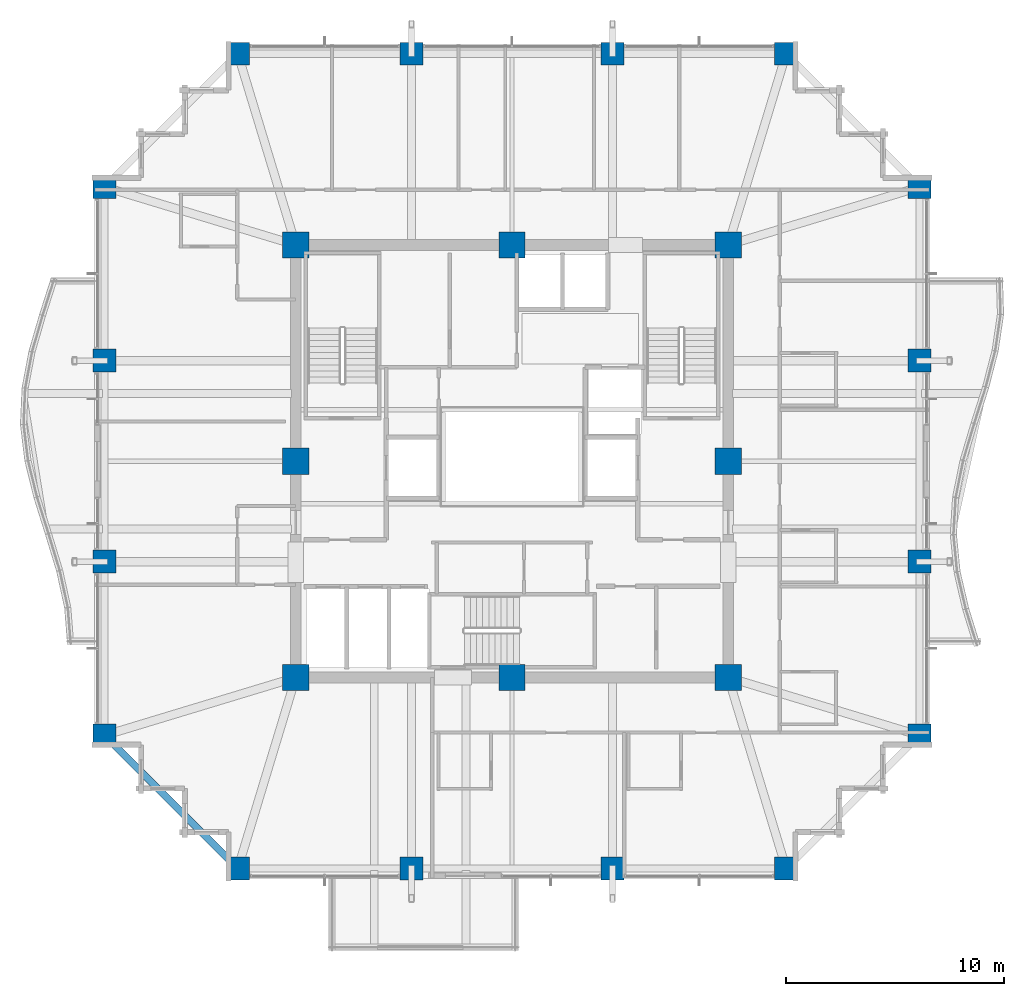
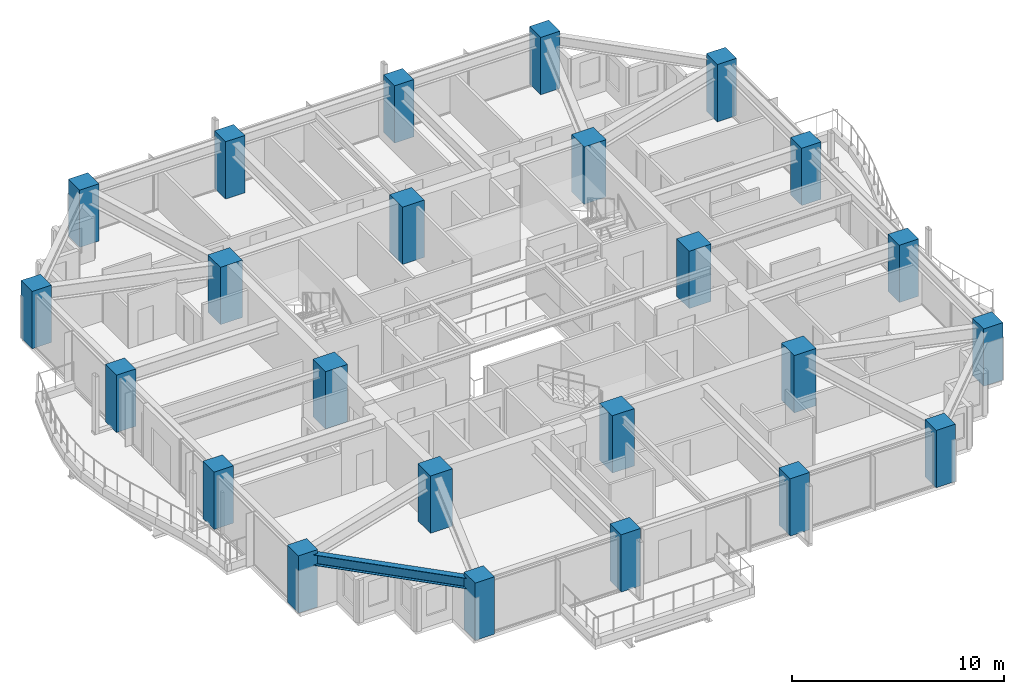
# One storey, part 1 of 38: 24 columns, 1 beam.
"""IFC4 building model written with IfcOpenShell, lengths in metres."""

import ifcopenshell
import ifcopenshell.guid

model = None  # the IFC model being written
_history = None  # IfcOwnerHistory: only IFC2X3 demands one
_inside = {}  # id of a spatial element -> (the spatial element, [elements in it])
_under = {}  # id of a project, library or spatial element -> (it, [spatial elements below it])
_declared = {}  # id of a project -> (the project, [libraries it declares])
_typed = {}  # id of a type object -> (the type object, [elements of that type])
_made_of = {}  # id of a material, layer set ... -> (it, [elements and type objects made of it])


def new_model(schema):
    """Start an empty IFC model of exactly this schema.

    Asked for "IFC4X3", IfcOpenShell would pick the latest addendum, in which some entities
    have other attributes; the version numbers below select the first issue.
    IFC2X3 requires an IfcOwnerHistory on every rooted entity: one is made here for all.
    """
    global model, _history
    if schema == "IFC4X3":
        model = ifcopenshell.file(schema_version=(4, 3, 0, 0))
    else:
        model = ifcopenshell.file(schema=schema)
    _inside.clear()
    _under.clear()
    _declared.clear()
    _typed.clear()
    _made_of.clear()
    _history = None
    if model.schema == "IFC2X3":
        org = make("IfcOrganization", Name="unknown")
        user = make(
            "IfcPersonAndOrganization",
            ThePerson=make("IfcPerson", FamilyName="unknown"),
            TheOrganization=org,
        )
        app = make(
            "IfcApplication",
            ApplicationDeveloper=org,
            Version="unknown",
            ApplicationFullName="unknown",
            ApplicationIdentifier="unknown",
        )
        _history = make(
            "IfcOwnerHistory",
            OwningUser=user,
            OwningApplication=app,
            ChangeAction="ADDED",
            CreationDate=0,
        )
    return model


def make(cls, **values):
    """One entity of the class cls with the attributes given. An attribute that is None is left unset."""
    return model.create_entity(
        cls, **{name: value for name, value in values.items() if value is not None}
    )


def rooted(cls, **values):
    """An entity with a GlobalId (a new one), such as an element, a storey or a relation."""
    return make(cls, GlobalId=ifcopenshell.guid.new(), OwnerHistory=_history, **values)


def si_unit(unit_type, name, prefix=None):
    """IfcSIUnit, for example si_unit("LENGTHUNIT", "METRE", prefix="MILLI")."""
    return make("IfcSIUnit", UnitType=unit_type, Prefix=prefix, Name=name)


def assignment(units):
    """IfcUnitAssignment: the units of a project."""
    return None if units is None else make("IfcUnitAssignment", Units=units)


def point(xyz):
    """IfcCartesianPoint."""
    return None if xyz is None else make("IfcCartesianPoint", Coordinates=xyz)


def direction(xyz):
    """IfcDirection."""
    return None if xyz is None else make("IfcDirection", DirectionRatios=xyz)


def frame(location, z_axis=None, x_axis=None):
    """IfcAxis2Placement3D, a coordinate frame: its origin and axes. An axis left out is left unset."""
    return make(
        "IfcAxis2Placement3D",
        Location=point(location),
        Axis=direction(z_axis),
        RefDirection=direction(x_axis),
    )


def frame_2d(location, x_axis=None):
    """IfcAxis2Placement2D, a coordinate frame in the plane: its origin and x axis."""
    return make(
        "IfcAxis2Placement2D", Location=point(location), RefDirection=direction(x_axis)
    )


def origin():
    """The frame at (0, 0, 0) with its axes left unset."""
    return frame((0.0, 0.0, 0.0))


def origin_2d():
    """The frame at (0, 0) in the plane with its x axis left unset."""
    return frame_2d((0.0, 0.0))


def place(relative_to, where):
    """IfcLocalPlacement: puts the frame where relative to a parent placement (None: the world)."""
    return make(
        "IfcLocalPlacement", PlacementRelTo=relative_to, RelativePlacement=where
    )


def context(
    kind, dimensions, precision=None, world=None, true_north=None, identifier=None
):
    """IfcGeometricRepresentationContext, for example the 3D "Model" context."""
    return make(
        "IfcGeometricRepresentationContext",
        ContextIdentifier=identifier,
        ContextType=kind,
        CoordinateSpaceDimension=dimensions,
        Precision=precision,
        WorldCoordinateSystem=world,
        TrueNorth=true_north,
    )


def subcontext(parent, identifier, kind, view, scale=None):
    """IfcGeometricRepresentationSubContext, for example "Body" below "Model"."""
    return make(
        "IfcGeometricRepresentationSubContext",
        ContextIdentifier=identifier,
        ContextType=kind,
        ParentContext=parent,
        TargetScale=scale,
        TargetView=view,
    )


def project(units=None, contexts=None):
    """IfcProject with its units and contexts."""
    return rooted(
        "IfcProject",
        Name="project",
        RepresentationContexts=contexts,
        UnitsInContext=assignment(units),
    )


def spatial(cls, under=None, at=None, **own):
    """A site, building, storey or space (cls), placed at a placement, below another one or the project."""
    s = rooted(cls, ObjectPlacement=at, **own)
    if under is not None:
        _under.setdefault(under.id(), (under, []))[1].append(s)
    return s


def profile(cls, at=None, kind="AREA", **sizes):
    """A parametric profile (cls). Its sizes go by their IFC names, for example OverallWidth=200.0."""
    return make(cls, ProfileType=kind, Position=at, **sizes)


def rectangle(**sizes):
    """IfcRectangleProfileDef."""
    return profile("IfcRectangleProfileDef", **sizes)


def i_section(**sizes):
    """IfcIShapeProfileDef."""
    return profile("IfcIShapeProfileDef", **sizes)


def extrude(swept, where, along, depth):
    """IfcExtrudedAreaSolid: the profile swept, set in the frame where, extruded along a direction by depth."""
    return make(
        "IfcExtrudedAreaSolid",
        SweptArea=swept,
        Position=where,
        ExtrudedDirection=direction(along),
        Depth=depth,
    )


def shape(context_of_items, identifier, shape_type, items):
    """IfcShapeRepresentation: the items that make up one representation, for example the "Body"."""
    return make(
        "IfcShapeRepresentation",
        ContextOfItems=context_of_items,
        RepresentationIdentifier=identifier,
        RepresentationType=shape_type,
        Items=items,
    )


def material(Name=None, Category=None):
    """IfcMaterial."""
    return make("IfcMaterial", Name=Name, Category=Category)


def material_profile(
    of_material, cross_section, Name=None, Category=None, Priority=None
):
    """IfcMaterialProfile: a cross section and its material."""
    return make(
        "IfcMaterialProfile",
        Name=Name,
        Material=of_material,
        Profile=cross_section,
        Priority=Priority,
        Category=Category,
    )


def profile_set(profiles, Name=None, composite=None):
    """IfcMaterialProfileSet."""
    return make(
        "IfcMaterialProfileSet",
        Name=Name,
        MaterialProfiles=profiles,
        CompositeProfile=composite,
    )


def made_of(thing, what):
    """Note that an element or type object is made of a material, layer set ...; save() writes the relation."""
    if what is not None:
        _made_of.setdefault(what.id(), (what, []))[1].append(thing)
    return thing


def type_object(cls, material=None, **own):
    """A type object (cls), such as IfcWallType, which elements share."""
    return made_of(rooted(cls, **own), material)


def element(
    cls,
    number,
    at=None,
    inside=None,
    cuts=None,
    type_object=None,
    material=None,
    context=None,
    identifier="Body",
    shape_type=None,
    held_by="IfcProductDefinitionShape",
    body=None,
    shapes=None,
    **own,
):
    """One element of the class cls, such as IfcWall. Its Tag is "e" and its number.

    at: its placement. inside: the storey or other place that contains it. cuts: it is an
    opening in that element (IfcRelVoidsElement). A single representation is given by context,
    identifier, shape_type and body (its items); several are given by shapes. held_by: the class
    of the entity that holds the representations. save() writes the other relations.
    """
    e = rooted(cls, Tag="e%d" % number, ObjectPlacement=at, **own)
    if body is not None:
        shapes = [shape(context, identifier, shape_type, body)]
    if shapes is not None:
        e.Representation = make(held_by, Representations=shapes)
    if inside is not None:
        _inside.setdefault(inside.id(), (inside, []))[1].append(e)
    if cuts is not None:
        rooted(
            "IfcRelVoidsElement", RelatingBuildingElement=cuts, RelatedOpeningElement=e
        )
    if type_object is not None:
        _typed.setdefault(type_object.id(), (type_object, []))[1].append(e)
    return made_of(e, material)


def aggregate(whole, parts):
    """IfcRelAggregates: a whole, such as a stair, and the parts it consists of."""
    return rooted("IfcRelAggregates", RelatingObject=whole, RelatedObjects=parts)


def save(model, path):
    """Write the relations noted so far, then the file.

    IfcRelAggregates (storeys below a building ...), IfcRelContainedInSpatialStructure (elements
    in a storey), IfcRelDefinesByType, IfcRelAssociatesMaterial and IfcRelDeclares: one each for
    every whole, place, type object, material and project.
    """
    for whole, parts in _under.values():
        aggregate(whole, parts)
    for where, things in _inside.values():
        rooted(
            "IfcRelContainedInSpatialStructure",
            RelatedElements=things,
            RelatingStructure=where,
        )
    for kind, things in _typed.values():
        rooted("IfcRelDefinesByType", RelatedObjects=things, RelatingType=kind)
    for what, things in _made_of.values():
        rooted("IfcRelAssociatesMaterial", RelatedObjects=things, RelatingMaterial=what)
    for by, libraries in _declared.values():
        rooted("IfcRelDeclares", RelatingContext=by, RelatedDefinitions=libraries)
    model.write(path)


model = new_model("IFC4")

# Units and contexts
model_context = context("Model", 3, precision=1e-05, world=origin(), true_north=direction((0.0, 1.0)))
body_context = subcontext(model_context, "Body", "Model", "MODEL_VIEW")
ifc_project = project(units=[si_unit("LENGTHUNIT", "METRE"), si_unit("AREAUNIT", "SQUARE_METRE"), si_unit("VOLUMEUNIT", "CUBIC_METRE"), si_unit("PLANEANGLEUNIT", "RADIAN"), si_unit("MASSUNIT", "GRAM", prefix="KILO")], contexts=[model_context])

# Site, building, storey
site_placement = place(None, origin())
site = spatial("IfcSite", under=ifc_project, at=site_placement, CompositionType="ELEMENT")
building_placement = place(site_placement, origin())
building = spatial("IfcBuilding", under=site, at=building_placement, Name="Kolvaren Belvedere", CompositionType="ELEMENT")
storey_placement = place(building_placement, frame((0.0, 0.0, 121.699951171875)))
storey = spatial("IfcBuildingStorey", under=building, at=storey_placement, Name="L35", CompositionType="ELEMENT", Elevation=121.699951171875)

# Columns
ifc_material_1 = material(Name="Concrete C50/60", Category="concrete")
ifc_material_profile_1 = material_profile(ifc_material_1, rectangle(XDim=1.050048828125, YDim=1.050048828125, at=origin_2d()), Name="RC 1050X1050")
ifc_profile_set_1 = profile_set([ifc_material_profile_1], Name="Concrete C50/60")
column_type_1 = type_object("IfcColumnType", Name="COL-RC-1050", PredefinedType="COLUMN", material=ifc_profile_set_1)
for number, where, z_axis, x_axis, name in (
    (1, (-12.550048828125, -18.64990234375, 0.0), (0.0, 0.0, 1.0), (1.0, 0.0, 0.0), "L35 Perimeter Column S1"),
    (2, (-4.60009765625, -18.64990234375, 0.0), (0.0, 0.0, 1.0), (1.0, 0.0, 0.0), "L35 Perimeter Column S2"),
    (3, (4.60009765625, -18.64990234375, 0.0), (0.0, 0.0, 1.0), (1.0, 0.0, 0.0), "L35 Perimeter Column S3"),
    (4, (12.550048828125, -18.64990234375, 0.0), (0.0, 0.0, 1.0), (1.0, 0.0, 0.0), "L35 Perimeter Column S4"),
    (5, (-12.550048828125, 18.64990234375, 0.0), (0.0, 0.0, 1.0), (1.0, 0.0, 0.0), "L35 Perimeter Column N1"),
    (6, (-4.60009765625, 18.64990234375, 0.0), (0.0, 0.0, 1.0), (1.0, 0.0, 0.0), "L35 Perimeter Column N2"),
    (7, (4.60009765625, 18.64990234375, 0.0), (0.0, 0.0, 1.0), (1.0, 0.0, 0.0), "L35 Perimeter Column N3"),
    (8, (12.550048828125, 18.64990234375, 0.0), (0.0, 0.0, 1.0), (1.0, 0.0, 0.0), "L35 Perimeter Column N4"),
    (9, (-18.64990234375, -12.550048828125, 0.0), (0.0, 0.0, 1.0), (1.0, 0.0, 0.0), "L35 Perimeter Column W1"),
    (10, (-18.64990234375, -4.60009765625, 0.0), (0.0, 0.0, 1.0), (1.0, 0.0, 0.0), "L35 Perimeter Column W2"),
    (11, (-18.64990234375, 4.60009765625, 0.0), (0.0, 0.0, 1.0), (1.0, 0.0, 0.0), "L35 Perimeter Column W3"),
    (12, (-18.64990234375, 12.550048828125, 0.0), (0.0, 0.0, 1.0), (1.0, 0.0, 0.0), "L35 Perimeter Column W4"),
    (13, (18.64990234375, -12.550048828125, 0.0), (0.0, 0.0, 1.0), (1.0, 0.0, 0.0), "L35 Perimeter Column E1"),
    (14, (18.64990234375, -4.60009765625, 0.0), (0.0, 0.0, 1.0), (1.0, 0.0, 0.0), "L35 Perimeter Column E2"),
    (15, (18.64990234375, 4.60009765625, 0.0), (0.0, 0.0, 1.0), (1.0, 0.0, 0.0), "L35 Perimeter Column E3"),
    (16, (18.64990234375, 12.550048828125, 0.0), (0.0, 0.0, 1.0), (1.0, 0.0, 0.0), "L35 Perimeter Column E4"),
):
    element("IfcColumn", number, at=place(storey_placement, frame(where, z_axis=z_axis, x_axis=x_axis)), inside=storey, type_object=column_type_1, Name=name, PredefinedType="COLUMN", context=body_context, shape_type="SweptSolid", body=[
        extrude(rectangle(XDim=1.050048828125, YDim=1.050048828125, at=origin_2d()), origin(), (0.0, 0.0, 1.0), 3.300048828125),
    ])
ifc_material_2 = material(Name="Concrete C60/75", Category="concrete")
ifc_material_profile_2 = material_profile(ifc_material_2, rectangle(XDim=1.199951171875, YDim=1.199951171875, at=origin_2d()), Name="RC 1200X1200")
ifc_profile_set_2 = profile_set([ifc_material_profile_2], Name="Concrete C60/75")
column_type_2 = type_object("IfcColumnType", Name="COL-RC-1200", PredefinedType="COLUMN", material=ifc_profile_set_2)
for number, where, z_axis, x_axis, name in (
    (17, (-9.89990234375, -9.89990234375, 0.0), (0.0, 0.0, 1.0), (1.0, 0.0, 0.0), "L35 Core Column CC1"),
    (18, (9.89990234375, -9.89990234375, 0.0), (0.0, 0.0, 1.0), (1.0, 0.0, 0.0), "L35 Core Column CC2"),
    (19, (9.89990234375, 9.89990234375, 0.0), (0.0, 0.0, 1.0), (1.0, 0.0, 0.0), "L35 Core Column CC3"),
    (20, (-9.89990234375, 9.89990234375, 0.0), (0.0, 0.0, 1.0), (1.0, 0.0, 0.0), "L35 Core Column CC4"),
    (21, (0.0, -9.89990234375, 0.0), (0.0, 0.0, 1.0), (1.0, 0.0, 0.0), "L35 Core Column CM1"),
    (22, (9.89990234375, 0.0, 0.0), (0.0, 0.0, 1.0), (1.0, 0.0, 0.0), "L35 Core Column CM2"),
    (23, (0.0, 9.89990234375, 0.0), (0.0, 0.0, 1.0), (1.0, 0.0, 0.0), "L35 Core Column CM3"),
    (24, (-9.89990234375, 0.0, 0.0), (0.0, 0.0, 1.0), (1.0, 0.0, 0.0), "L35 Core Column CM4"),
):
    element("IfcColumn", number, at=place(storey_placement, frame(where, z_axis=z_axis, x_axis=x_axis)), inside=storey, type_object=column_type_2, Name=name, PredefinedType="COLUMN", context=body_context, shape_type="SweptSolid", body=[
        extrude(rectangle(XDim=1.199951171875, YDim=1.199951171875, at=origin_2d()), origin(), (0.0, 0.0, 1.0), 3.300048828125),
    ])

# Beam
ifc_material_3 = material(Name="Structural steel ASTM A992 Grade 50", Category="steel")
ifc_material_profile_3 = material_profile(ifc_material_3, i_section(OverallWidth=0.324951171875, OverallDepth=0.615966796875, WebThickness=0.013916015625, FlangeThickness=0.021484375, FilletRadius=0.02001953125, at=origin_2d()), Name="W24X117")
ifc_profile_set_3 = profile_set([ifc_material_profile_3], Name="Structural steel ASTM A992 Grade 50")
beam_type = type_object("IfcBeamType", Name="BM-SPAN-W24X117", PredefinedType="SPANDREL", material=ifc_profile_set_3)
beam_placement = place(storey_placement, frame((-18.48291015625, -12.717041015625, 2.77197265625), z_axis=(0.707106781187, -0.707106781187, 0.0), x_axis=(0.707106781187, 0.707106781187, 0.0)))
element("IfcBeam", 25, at=beam_placement, inside=storey, type_object=beam_type, Name="L35 Perimeter Spandrel W1-S1", PredefinedType="SPANDREL", context=body_context, shape_type="SweptSolid", body=[
    extrude(i_section(OverallWidth=0.324951171875, OverallDepth=0.615966796875, WebThickness=0.013916015625, FlangeThickness=0.021484375, FilletRadius=0.02001953125, at=origin_2d()), origin(), (0.0, 0.0, 1.0), 8.154052734375),
])

save(model, "model.ifc")
